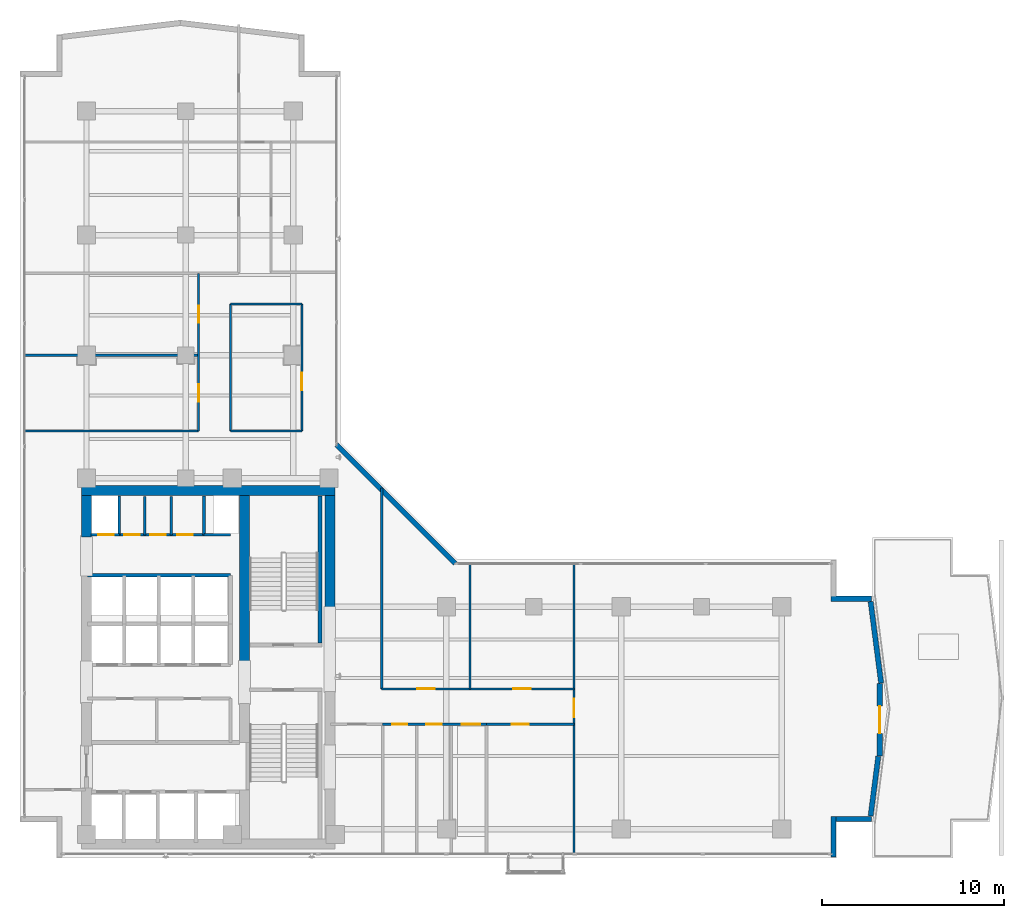
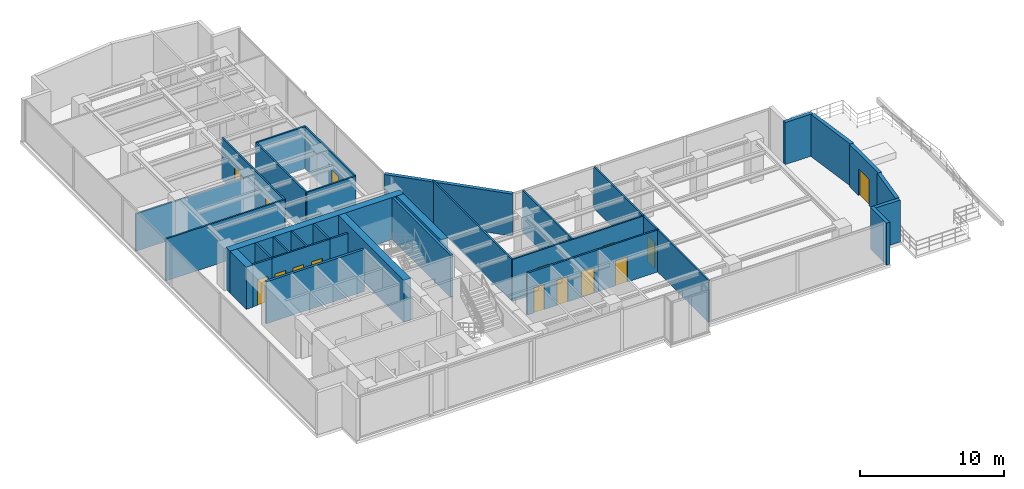
# One storey, part 18 of 25: 33 walls, 15 doors, 15 openings.
"""IFC4 building model written with IfcOpenShell, lengths in metres."""

from ifc_helpers import new_model, si_unit, direction, frame, frame_2d, origin, place, context, subcontext, project, spatial, rectangle, extrude, material, layer, layer_set, type_object, element, fill, save


model = new_model("IFC4")

# Units and contexts
model_context = context("Model", 3, precision=1e-05, world=origin(), true_north=direction((0.0, 1.0)))
body_context = subcontext(model_context, "Body", "Model", "MODEL_VIEW")
ifc_project = project(units=[si_unit("LENGTHUNIT", "METRE"), si_unit("AREAUNIT", "SQUARE_METRE"), si_unit("VOLUMEUNIT", "CUBIC_METRE"), si_unit("PLANEANGLEUNIT", "RADIAN"), si_unit("MASSUNIT", "GRAM", prefix="KILO")], contexts=[model_context])

# Site, building, storey
site_placement = place(None, origin())
site = spatial("IfcSite", under=ifc_project, at=site_placement, CompositionType="ELEMENT")
building_placement = place(site_placement, origin())
building = spatial("IfcBuilding", under=site, at=building_placement, Name="Kolvaren Waterfront Exchange", CompositionType="ELEMENT")
storey_placement = place(building_placement, frame((0.0, 0.0, 204.5)))
storey = spatial("IfcBuildingStorey", under=building, at=storey_placement, Name="L52", CompositionType="ELEMENT", Elevation=204.5)

# Wall, opening, door
ifc_material_1 = material(Name="Precast concrete C40/50", Category="concrete")
ifc_layer_1 = layer(ifc_material_1, 0.280029296875, Name="Precast concrete C40/50")
ifc_layer_set_1 = layer_set([ifc_layer_1], Name="Precast concrete C40/50")
wall_type_1 = type_object("IfcWallType", Name="ARC-EXT-TERR-280", PredefinedType="SOLIDWALL", material=ifc_layer_set_1)
wall_1_placement = place(storey_placement, frame((50.97998046875, 9.199951171875, 0.0), z_axis=(0.0, 0.0, 1.0), x_axis=(0.0, 1.0, 0.0)))
wall_1 = element("IfcWall", 1, at=wall_1_placement, inside=storey, type_object=wall_type_1, Name="L52 east sky-garden access wall 1", PredefinedType="SOLIDWALL", context=body_context, shape_type="SweptSolid", body=[
    extrude(rectangle(XDim=4.0, YDim=0.280029296875, at=frame_2d((2.0, 0.0))), origin(), (0.0, 0.0, 1.0), 3.56005859375),
])
opening_1_placement = place(wall_1_placement, frame((1.25, 0.0, 0.0)))
opening_1 = element("IfcOpeningElement", 2, at=opening_1_placement, cuts=wall_1, Name="Opening TD1", PredefinedType="OPENING", context=body_context, shape_type="SweptSolid", body=[
    extrude(rectangle(XDim=1.5, YDim=2.25, at=frame_2d((0.75, 1.125))), frame((0.0, 0.14990234375, 0.0), z_axis=(0.0, -1.0, 0.0), x_axis=(1.0, 0.0, 0.0)), (0.0, 0.0, 1.0), 0.300048828125),
])
ifc_material_2 = material(Name="Anodised bronze aluminium and glass", Category="aluminium")
door_type_1 = type_object("IfcDoorType", Name="ARC-TD-1500", OperationType="NOTDEFINED", PredefinedType="DOOR", material=ifc_material_2)
door_1_placement = place(opening_1_placement, frame((1.5, 0.0, 0.0), z_axis=(0.0, 0.0, 1.0), x_axis=(-1.0, 0.0, 0.0)))
door_1 = element("IfcDoor", 3, at=door_1_placement, inside=storey, type_object=door_type_1, Name="L52 planted sky-garden terrace door 1", OperationType="SINGLE_SWING_LEFT", OverallHeight=2.25, OverallWidth=1.5, PredefinedType="DOOR", context=body_context, shape_type="SweptSolid", body=[
    extrude(rectangle(XDim=1.5, YDim=2.25, at=frame_2d((0.75, 1.125))), frame((0.0, 0.02490234375, 0.0), z_axis=(0.0, -1.0, 0.0), x_axis=(1.0, 0.0, 0.0)), (0.0, 0.0, 1.0), 0.050048828125),
])
fill(opening_1, door_1)

# Walls
wall_2_placement = place(storey_placement, frame((48.43994140625, 3.659912109375, 0.0), z_axis=(0.0, 0.0, 1.0), x_axis=(0.0, 1.0, 0.0)))
element("IfcWall", 4, at=wall_2_placement, inside=storey, type_object=wall_type_1, Name="L52 notched corner spandrel pier SE-A", PredefinedType="SOLIDWALL", context=body_context, shape_type="SweptSolid", body=[
    extrude(rectangle(XDim=2.239990234375, YDim=0.280029296875, at=frame_2d((1.1201171875, 0.0))), origin(), (0.0, 0.0, 1.0), 3.56005859375),
])
wall_3_placement = place(storey_placement, frame((48.580078125, 5.760009765625, 0.0), z_axis=(0.0, 0.0, 1.0), x_axis=(1.0, 0.0, 0.0)))
element("IfcWall", 5, at=wall_3_placement, inside=storey, type_object=wall_type_1, Name="L52 notched corner spandrel pier SE-B", PredefinedType="SOLIDWALL", context=body_context, shape_type="SweptSolid", body=[
    extrude(rectangle(XDim=1.9599609375, YDim=0.280029296875, at=frame_2d((0.97998046875, 0.0))), origin(), (0.0, 0.0, 1.0), 3.56005859375),
])
wall_4_placement = place(storey_placement, frame((48.300048828125, 17.840087890625, 0.0), z_axis=(0.0, 0.0, 1.0), x_axis=(1.0, 0.0, 0.0)))
element("IfcWall", 6, at=wall_4_placement, inside=storey, type_object=wall_type_1, Name="L52 notched corner spandrel pier ENE-B", PredefinedType="SOLIDWALL", context=body_context, shape_type="SweptSolid", body=[
    extrude(rectangle(XDim=2.239990234375, YDim=0.280029296875, at=frame_2d((1.1201171875, 0.0))), origin(), (0.0, 0.0, 1.0), 3.56005859375),
])
wall_5_placement = place(storey_placement, frame((27.68505859375, 19.77490234375, 0.0), z_axis=(0.0, 0.0, 1.0), x_axis=(-0.707106781187, 0.707106781187, 0.0)))
element("IfcWall", 7, at=wall_5_placement, inside=storey, type_object=wall_type_1, Name="L52 notched corner spandrel pier ELBOW", PredefinedType="SOLIDWALL", context=body_context, shape_type="SweptSolid", body=[
    extrude(rectangle(XDim=9.20654296875, YDim=0.280029296875, at=frame_2d((4.603271484375, 0.0))), origin(), (0.0, 0.0, 1.0), 3.56005859375),
])
wall_6_placement = place(storey_placement, frame((50.479736328125, 5.91796875, 0.0), z_axis=(0.0, 0.0, 1.0), x_axis=(0.12795020487, 0.991780593213, 0.0)))
element("IfcWall", 8, at=wall_6_placement, inside=storey, type_object=wall_type_1, Name="L52 east prow lower facade wall", PredefinedType="SOLIDWALL", context=body_context, shape_type="SweptSolid", body=[
    extrude(rectangle(XDim=3.299072265625, YDim=0.280029296875, at=frame_2d((1.6494140625, 0.0))), origin(), (0.0, 0.0, 1.0), 3.56005859375),
])
wall_7_placement = place(storey_placement, frame((51.056640625, 13.2099609375, 0.0), z_axis=(0.0, 0.0, 1.0), x_axis=(-0.127945567261, 0.991781191503, 0.0)))
element("IfcWall", 9, at=wall_7_placement, inside=storey, type_object=wall_type_1, Name="L52 east prow upper facade wall", PredefinedType="SOLIDWALL", context=body_context, shape_type="SweptSolid", body=[
    extrude(rectangle(XDim=4.509033203125, YDim=0.280029296875, at=frame_2d((2.25439453125, 0.0))), origin(), (0.0, 0.0, 1.0), 3.56005859375),
])

# Wall, openings, doors
ifc_material_3 = material(Name="Acoustic gypsum steel stud", Category="steel")
ifc_layer_2 = layer(ifc_material_3, 0.125, Name="Acoustic gypsum steel stud")
ifc_layer_set_2 = layer_set([ifc_layer_2], Name="Acoustic gypsum steel stud")
wall_type_2 = type_object("IfcWallType", Name="ARC-PART-125", PredefinedType="PARTITIONING", material=ifc_layer_set_2)
wall_8_placement = place(storey_placement, frame((9.25, 21.35009765625, 0.0), z_axis=(0.0, 0.0, 1.0), x_axis=(1.0, 0.0, 0.0)))
wall_8 = element("IfcWall", 10, at=wall_8_placement, inside=storey, type_object=wall_type_2, Name="L52 interior wall PW-L52-SVC-EX-S", PredefinedType="PARTITIONING", context=body_context, shape_type="SweptSolid", body=[
    extrude(rectangle(XDim=4.64990234375, YDim=0.125, at=frame_2d((2.324951171875, 0.0))), origin(), (0.0, 0.0, 1.0), 3.56005859375),
])
opening_2_placement = place(wall_8_placement, frame((0.264892578125, 0.0, 0.0)))
opening_2 = element("IfcOpeningElement", 11, at=opening_2_placement, cuts=wall_8, Name="Opening D01", PredefinedType="OPENING", context=body_context, shape_type="SweptSolid", body=[
    extrude(rectangle(XDim=0.85009765625, YDim=2.14990234375, at=frame_2d((0.425048828125, 1.074951171875))), frame((0.0, 0.072509765625, 0.0), z_axis=(0.0, -1.0, 0.0), x_axis=(1.0, 0.0, 0.0)), (0.0, 0.0, 1.0), 0.14501953125),
])
opening_3_placement = place(wall_8_placement, frame((1.695068359375, 0.0, 0.0)))
opening_3 = element("IfcOpeningElement", 12, at=opening_3_placement, cuts=wall_8, Name="Opening D01", PredefinedType="OPENING", context=body_context, shape_type="SweptSolid", body=[
    extrude(rectangle(XDim=0.85009765625, YDim=2.14990234375, at=frame_2d((0.425048828125, 1.074951171875))), frame((0.0, 0.072509765625, 0.0), z_axis=(0.0, -1.0, 0.0), x_axis=(1.0, 0.0, 0.0)), (0.0, 0.0, 1.0), 0.14501953125),
])
opening_4_placement = place(wall_8_placement, frame((3.18994140625, 0.0, 0.0)))
opening_4 = element("IfcOpeningElement", 13, at=opening_4_placement, cuts=wall_8, Name="Opening D01", PredefinedType="OPENING", context=body_context, shape_type="SweptSolid", body=[
    extrude(rectangle(XDim=0.85009765625, YDim=2.14990234375, at=frame_2d((0.425048828125, 1.074951171875))), frame((0.0, 0.072509765625, 0.0), z_axis=(0.0, -1.0, 0.0), x_axis=(1.0, 0.0, 0.0)), (0.0, 0.0, 1.0), 0.14501953125),
])
ifc_material_4 = material(Name="Oak veneer timber leaf", Category="wood")
door_type_2 = type_object("IfcDoorType", Name="ARC-DR-900", OperationType="NOTDEFINED", PredefinedType="DOOR", material=ifc_material_4)
door_2_placement = place(opening_2_placement, origin())
door_2 = element("IfcDoor", 14, at=door_2_placement, inside=storey, type_object=door_type_2, Name="L52 door DR-L52-SVC-DR-1 (D01)", OperationType="SINGLE_SWING_RIGHT", OverallHeight=2.14990234375, OverallWidth=0.85009765625, PredefinedType="DOOR", context=body_context, shape_type="SweptSolid", body=[
    extrude(rectangle(XDim=0.85009765625, YDim=2.14990234375, at=frame_2d((0.425048828125, 1.074951171875))), frame((0.0, 0.02490234375, 0.0), z_axis=(0.0, -1.0, 0.0), x_axis=(1.0, 0.0, 0.0)), (0.0, 0.0, 1.0), 0.050048828125),
])
fill(opening_2, door_2)
door_3_placement = place(opening_3_placement, origin())
door_3 = element("IfcDoor", 15, at=door_3_placement, inside=storey, type_object=door_type_2, Name="L52 door DR-L52-SVC-DR-2 (D01)", OperationType="SINGLE_SWING_LEFT", OverallHeight=2.14990234375, OverallWidth=0.85009765625, PredefinedType="DOOR", context=body_context, shape_type="SweptSolid", body=[
    extrude(rectangle(XDim=0.85009765625, YDim=2.14990234375, at=frame_2d((0.425048828125, 1.074951171875))), frame((0.0, 0.02490234375, 0.0), z_axis=(0.0, -1.0, 0.0), x_axis=(1.0, 0.0, 0.0)), (0.0, 0.0, 1.0), 0.050048828125),
])
fill(opening_3, door_3)
door_4_placement = place(opening_4_placement, origin())
door_4 = element("IfcDoor", 16, at=door_4_placement, inside=storey, type_object=door_type_2, Name="L52 door DR-L52-SVC-DR-3 (D01)", OperationType="SINGLE_SWING_RIGHT", OverallHeight=2.14990234375, OverallWidth=0.85009765625, PredefinedType="DOOR", context=body_context, shape_type="SweptSolid", body=[
    extrude(rectangle(XDim=0.85009765625, YDim=2.14990234375, at=frame_2d((0.425048828125, 1.074951171875))), frame((0.0, 0.02490234375, 0.0), z_axis=(0.0, -1.0, 0.0), x_axis=(1.0, 0.0, 0.0)), (0.0, 0.0, 1.0), 0.050048828125),
])
fill(opening_4, door_4)

# Walls
for number, where, z_axis, x_axis, name in (
    (17, (10.64990234375, 21.35009765625, 0.0), (0.0, 0.0, 1.0), (0.0, 1.0, 0.0), "L52 interior wall PW-L52-SVC-EX-A"),
    (18, (12.10009765625, 21.35009765625, 0.0), (0.0, 0.0, 1.0), (0.0, 1.0, 0.0), "L52 interior wall PW-L52-SVC-EX-B"),
):
    element("IfcWall", number, at=place(storey_placement, frame(where, z_axis=z_axis, x_axis=x_axis)), inside=storey, type_object=wall_type_2, Name=name, PredefinedType="PARTITIONING", context=body_context, shape_type="SweptSolid", body=[
        extrude(rectangle(XDim=2.099853515625, YDim=0.125, at=frame_2d((1.0498046875, 0.0))), origin(), (0.0, 0.0, 1.0), 3.56005859375),
    ])
for number, where, z_axis, x_axis, name in (
    (19, (15.35009765625, 27.050048828125, 0.0), (0.0, 0.0, 1.0), (1.0, 0.0, 0.0), "L52 interior wall PW-L52-ISL-S"),
    (20, (15.35009765625, 34.02001953125, 0.0), (0.0, 0.0, 1.0), (1.0, 0.0, 0.0), "L52 interior wall PW-L52-ISL-N"),
):
    element("IfcWall", number, at=place(storey_placement, frame(where, z_axis=z_axis, x_axis=x_axis)), inside=storey, type_object=wall_type_2, Name=name, PredefinedType="PARTITIONING", context=body_context, shape_type="SweptSolid", body=[
        extrude(rectangle(XDim=3.919921875, YDim=0.125, at=frame_2d((1.9599609375, 0.0))), origin(), (0.0, 0.0, 1.0), 3.56005859375),
    ])
wall_9_placement = place(storey_placement, frame((15.35009765625, 27.050048828125, 0.0), z_axis=(0.0, 0.0, 1.0), x_axis=(0.0, 1.0, 0.0)))
element("IfcWall", 21, at=wall_9_placement, inside=storey, type_object=wall_type_2, Name="L52 interior wall PW-L52-ISL-W", PredefinedType="PARTITIONING", context=body_context, shape_type="SweptSolid", body=[
    extrude(rectangle(XDim=6.969970703125, YDim=0.125, at=frame_2d((3.48486328125, 0.0))), origin(), (0.0, 0.0, 1.0), 3.56005859375),
])

# Wall, opening, door
wall_10_placement = place(storey_placement, frame((19.27001953125, 27.050048828125, 0.0), z_axis=(0.0, 0.0, 1.0), x_axis=(0.0, 1.0, 0.0)))
wall_10 = element("IfcWall", 22, at=wall_10_placement, inside=storey, type_object=wall_type_2, Name="L52 interior wall PW-L52-ISL-E", PredefinedType="PARTITIONING", context=body_context, shape_type="SweptSolid", body=[
    extrude(rectangle(XDim=6.969970703125, YDim=0.125, at=frame_2d((3.48486328125, 0.0))), origin(), (0.0, 0.0, 1.0), 3.56005859375),
])
opening_5_placement = place(wall_10_placement, frame((2.23681640625, 0.0, 0.0)))
opening_5 = element("IfcOpeningElement", 23, at=opening_5_placement, cuts=wall_10, Name="Opening D02", PredefinedType="OPENING", context=body_context, shape_type="SweptSolid", body=[
    extrude(rectangle(XDim=0.949951171875, YDim=2.14990234375, at=frame_2d((0.47509765625, 1.074951171875))), frame((0.0, 0.072509765625, 0.0), z_axis=(0.0, -1.0, 0.0), x_axis=(1.0, 0.0, 0.0)), (0.0, 0.0, 1.0), 0.14501953125),
])
ifc_material_5 = material(Name="Oak veneer acoustic timber", Category="wood")
door_type_3 = type_object("IfcDoorType", Name="ARC-DR-950", OperationType="NOTDEFINED", PredefinedType="DOOR", material=ifc_material_5)
door_5_placement = place(opening_5_placement, origin())
door_5 = element("IfcDoor", 24, at=door_5_placement, inside=storey, type_object=door_type_3, Name="L52 door DR-L52-ISL-D (D02)", OperationType="SINGLE_SWING_LEFT", OverallHeight=2.14990234375, OverallWidth=0.949951171875, PredefinedType="DOOR", context=body_context, shape_type="SweptSolid", body=[
    extrude(rectangle(XDim=0.949951171875, YDim=2.14990234375, at=frame_2d((0.47509765625, 1.074951171875))), frame((0.0, 0.02490234375, 0.0), z_axis=(0.0, -1.0, 0.0), x_axis=(1.0, 0.0, 0.0)), (0.0, 0.0, 1.0), 0.050048828125),
])
fill(opening_5, door_5)

# Wall, openings, doors
wall_11_placement = place(storey_placement, frame((13.60009765625, 27.050048828125, 0.0), z_axis=(0.0, 0.0, 1.0), x_axis=(0.0, 1.0, 0.0)))
wall_11 = element("IfcWall", 25, at=wall_11_placement, inside=storey, type_object=wall_type_2, Name="L52 interior wall PW-L52-MWL-E", PredefinedType="PARTITIONING", context=body_context, shape_type="SweptSolid", body=[
    extrude(rectangle(XDim=8.64990234375, YDim=0.125, at=frame_2d((4.324951171875, 0.0))), origin(), (0.0, 0.0, 1.0), 3.56005859375),
])
opening_6_placement = place(wall_11_placement, frame((1.60009765625, 0.0, 0.0)))
opening_6 = element("IfcOpeningElement", 26, at=opening_6_placement, cuts=wall_11, Name="Opening D02", PredefinedType="OPENING", context=body_context, shape_type="SweptSolid", body=[
    extrude(rectangle(XDim=0.949951171875, YDim=2.14990234375, at=frame_2d((0.47509765625, 1.074951171875))), frame((0.0, 0.072509765625, 0.0), z_axis=(0.0, -1.0, 0.0), x_axis=(1.0, 0.0, 0.0)), (0.0, 0.0, 1.0), 0.14501953125),
])
opening_7_placement = place(wall_11_placement, frame((5.925048828125, 0.0, 0.0)))
opening_7 = element("IfcOpeningElement", 27, at=opening_7_placement, cuts=wall_11, Name="Opening D02", PredefinedType="OPENING", context=body_context, shape_type="SweptSolid", body=[
    extrude(rectangle(XDim=0.949951171875, YDim=2.14990234375, at=frame_2d((0.47509765625, 1.074951171875))), frame((0.0, 0.072509765625, 0.0), z_axis=(0.0, -1.0, 0.0), x_axis=(1.0, 0.0, 0.0)), (0.0, 0.0, 1.0), 0.14501953125),
])
door_6_placement = place(opening_6_placement, origin())
door_6 = element("IfcDoor", 28, at=door_6_placement, inside=storey, type_object=door_type_3, Name="L52 door DR-L52-MWL1A-D (D02)", OperationType="SINGLE_SWING_LEFT", OverallHeight=2.14990234375, OverallWidth=0.949951171875, PredefinedType="DOOR", context=body_context, shape_type="SweptSolid", body=[
    extrude(rectangle(XDim=0.949951171875, YDim=2.14990234375, at=frame_2d((0.47509765625, 1.074951171875))), frame((0.0, 0.02490234375, 0.0), z_axis=(0.0, -1.0, 0.0), x_axis=(1.0, 0.0, 0.0)), (0.0, 0.0, 1.0), 0.050048828125),
])
fill(opening_6, door_6)
door_7_placement = place(opening_7_placement, origin())
door_7 = element("IfcDoor", 29, at=door_7_placement, inside=storey, type_object=door_type_3, Name="L52 door DR-L52-MWL1B-D (D02)", OperationType="SINGLE_SWING_RIGHT", OverallHeight=2.14990234375, OverallWidth=0.949951171875, PredefinedType="DOOR", context=body_context, shape_type="SweptSolid", body=[
    extrude(rectangle(XDim=0.949951171875, YDim=2.14990234375, at=frame_2d((0.47509765625, 1.074951171875))), frame((0.0, 0.02490234375, 0.0), z_axis=(0.0, -1.0, 0.0), x_axis=(1.0, 0.0, 0.0)), (0.0, 0.0, 1.0), 0.050048828125),
])
fill(opening_7, door_7)

# Walls
wall_12_placement = place(storey_placement, frame((4.0400390625, 27.050048828125, 0.0), z_axis=(0.0, 0.0, 1.0), x_axis=(1.0, 0.0, 0.0)))
element("IfcWall", 30, at=wall_12_placement, inside=storey, type_object=wall_type_2, Name="L52 interior wall PW-L52-MWL-S", PredefinedType="PARTITIONING", context=body_context, shape_type="SweptSolid", body=[
    extrude(rectangle(XDim=9.56005859375, YDim=0.125, at=frame_2d((4.780029296875, 0.0))), origin(), (0.0, 0.0, 1.0), 3.56005859375),
])
wall_13_placement = place(storey_placement, frame((4.0400390625, 31.199951171875, 0.0), z_axis=(0.0, 0.0, 1.0), x_axis=(1.0, 0.0, 0.0)))
element("IfcWall", 31, at=wall_13_placement, inside=storey, type_object=wall_type_2, Name="L52 interior wall PW-L52-MWL-M", PredefinedType="PARTITIONING", context=body_context, shape_type="SweptSolid", body=[
    extrude(rectangle(XDim=9.56005859375, YDim=0.125, at=frame_2d((4.780029296875, 0.0))), origin(), (0.0, 0.0, 1.0), 3.159912109375),
])

# Wall, opening, door
wall_14_placement = place(storey_placement, frame((29.39990234375, 10.949951171875, 0.0), z_axis=(0.0, 0.0, 1.0), x_axis=(1.0, 0.0, 0.0)))
wall_14 = element("IfcWall", 32, at=wall_14_placement, inside=storey, type_object=wall_type_2, Name="L52 interior wall PW-L52-ES-CORR", PredefinedType="PARTITIONING", context=body_context, shape_type="SweptSolid", body=[
    extrude(rectangle(XDim=4.800048828125, YDim=0.125, at=frame_2d((2.39990234375, 0.0))), origin(), (0.0, 0.0, 1.0), 3.56005859375),
])
opening_8_placement = place(wall_14_placement, frame((1.3798828125, 0.0, 0.0)))
opening_8 = element("IfcOpeningElement", 33, at=opening_8_placement, cuts=wall_14, Name="Opening D02", PredefinedType="OPENING", context=body_context, shape_type="SweptSolid", body=[
    extrude(rectangle(XDim=0.949951171875, YDim=2.14990234375, at=frame_2d((0.47509765625, 1.074951171875))), frame((0.0, 0.072509765625, 0.0), z_axis=(0.0, -1.0, 0.0), x_axis=(1.0, 0.0, 0.0)), (0.0, 0.0, 1.0), 0.14501953125),
])
door_8_placement = place(opening_8_placement, origin())
door_8 = element("IfcDoor", 34, at=door_8_placement, inside=storey, type_object=door_type_3, Name="L52 door DR-L52-ES-D-1 (D02)", OperationType="SINGLE_SWING_LEFT", OverallHeight=2.14990234375, OverallWidth=0.949951171875, PredefinedType="DOOR", context=body_context, shape_type="SweptSolid", body=[
    extrude(rectangle(XDim=0.949951171875, YDim=2.14990234375, at=frame_2d((0.47509765625, 1.074951171875))), frame((0.0, 0.02490234375, 0.0), z_axis=(0.0, -1.0, 0.0), x_axis=(1.0, 0.0, 0.0)), (0.0, 0.0, 1.0), 0.050048828125),
])
fill(opening_8, door_8)

wall_15_placement = place(storey_placement, frame((34.199951171875, 3.840087890625, 0.0), z_axis=(0.0, 0.0, 1.0), x_axis=(0.0, 1.0, 0.0)))
wall_15 = element("IfcWall", 35, at=wall_15_placement, inside=storey, type_object=wall_type_2, Name="L52 interior wall PW-L52-ETIP-W", PredefinedType="PARTITIONING", context=body_context, shape_type="SweptSolid", body=[
    extrude(rectangle(XDim=15.919921875, YDim=0.125, at=frame_2d((7.9599609375, 0.0))), origin(), (0.0, 0.0, 1.0), 3.56005859375),
])
opening_9_placement = place(wall_15_placement, frame((7.510009765625, 0.0, 0.0)))
opening_9 = element("IfcOpeningElement", 36, at=opening_9_placement, cuts=wall_15, Name="Opening D03", PredefinedType="OPENING", context=body_context, shape_type="SweptSolid", body=[
    extrude(rectangle(XDim=1.0, YDim=2.199951171875, at=frame_2d((0.5, 1.10009765625))), frame((0.0, 0.072509765625, 0.0), z_axis=(0.0, -1.0, 0.0), x_axis=(1.0, 0.0, 0.0)), (0.0, 0.0, 1.0), 0.14501953125),
])
ifc_material_6 = material(Name="Oak veneer accessible timber", Category="wood")
door_type_4 = type_object("IfcDoorType", Name="ARC-DR-1000", OperationType="NOTDEFINED", PredefinedType="DOOR", material=ifc_material_6)
door_9_placement = place(opening_9_placement, origin())
door_9 = element("IfcDoor", 37, at=door_9_placement, inside=storey, type_object=door_type_4, Name="L52 door DR-L52-ETIP-D (D03)", OperationType="SINGLE_SWING_RIGHT", OverallHeight=2.199951171875, OverallWidth=1.0, PredefinedType="DOOR", context=body_context, shape_type="SweptSolid", body=[
    extrude(rectangle(XDim=1.0, YDim=2.199951171875, at=frame_2d((0.5, 1.10009765625))), frame((0.0, 0.02490234375, 0.0), z_axis=(0.0, -1.0, 0.0), x_axis=(1.0, 0.0, 0.0)), (0.0, 0.0, 1.0), 0.050048828125),
])
fill(opening_9, door_9)

# Wall
wall_16_placement = place(storey_placement, frame((23.64990234375, 12.889892578125, 0.0), z_axis=(0.0, 0.0, 1.0), x_axis=(0.0, 1.0, 0.0)))
element("IfcWall", 38, at=wall_16_placement, inside=storey, type_object=wall_type_2, Name="L52 interior wall PW-L52-EN-W0", PredefinedType="PARTITIONING", context=body_context, shape_type="SweptSolid", body=[
    extrude(rectangle(XDim=11.02001953125, YDim=0.125, at=frame_2d((5.510009765625, 0.0))), origin(), (0.0, 0.0, 1.0), 3.56005859375),
])

# Wall, openings, doors
wall_17_placement = place(storey_placement, frame((23.64990234375, 12.889892578125, 0.0), z_axis=(0.0, 0.0, 1.0), x_axis=(1.0, 0.0, 0.0)))
wall_17 = element("IfcWall", 39, at=wall_17_placement, inside=storey, type_object=wall_type_2, Name="L52 interior wall PW-L52-EN-CORR", PredefinedType="PARTITIONING", context=body_context, shape_type="SweptSolid", body=[
    extrude(rectangle(XDim=10.550048828125, YDim=0.125, at=frame_2d((5.27490234375, 0.0))), origin(), (0.0, 0.0, 1.0), 3.56005859375),
])
opening_10_placement = place(wall_17_placement, frame((1.949951171875, 0.0, 0.0)))
opening_10 = element("IfcOpeningElement", 40, at=opening_10_placement, cuts=wall_17, Name="Opening D02", PredefinedType="OPENING", context=body_context, shape_type="SweptSolid", body=[
    extrude(rectangle(XDim=0.949951171875, YDim=2.14990234375, at=frame_2d((0.47509765625, 1.074951171875))), frame((0.0, 0.072509765625, 0.0), z_axis=(0.0, -1.0, 0.0), x_axis=(1.0, 0.0, 0.0)), (0.0, 0.0, 1.0), 0.14501953125),
])
opening_11_placement = place(wall_17_placement, frame((7.22509765625, 0.0, 0.0)))
opening_11 = element("IfcOpeningElement", 41, at=opening_11_placement, cuts=wall_17, Name="Opening D02", PredefinedType="OPENING", context=body_context, shape_type="SweptSolid", body=[
    extrude(rectangle(XDim=0.949951171875, YDim=2.14990234375, at=frame_2d((0.47509765625, 1.074951171875))), frame((0.0, 0.072509765625, 0.0), z_axis=(0.0, -1.0, 0.0), x_axis=(1.0, 0.0, 0.0)), (0.0, 0.0, 1.0), 0.14501953125),
])
door_10_placement = place(opening_10_placement, origin())
door_10 = element("IfcDoor", 42, at=door_10_placement, inside=storey, type_object=door_type_3, Name="L52 door DR-L52-EN-D-1 (D02)", OperationType="SINGLE_SWING_LEFT", OverallHeight=2.14990234375, OverallWidth=0.949951171875, PredefinedType="DOOR", context=body_context, shape_type="SweptSolid", body=[
    extrude(rectangle(XDim=0.949951171875, YDim=2.14990234375, at=frame_2d((0.47509765625, 1.074951171875))), frame((0.0, 0.02490234375, 0.0), z_axis=(0.0, -1.0, 0.0), x_axis=(1.0, 0.0, 0.0)), (0.0, 0.0, 1.0), 0.050048828125),
])
fill(opening_10, door_10)
door_11_placement = place(opening_11_placement, origin())
door_11 = element("IfcDoor", 43, at=door_11_placement, inside=storey, type_object=door_type_3, Name="L52 door DR-L52-EN-D-2 (D02)", OperationType="SINGLE_SWING_RIGHT", OverallHeight=2.14990234375, OverallWidth=0.949951171875, PredefinedType="DOOR", context=body_context, shape_type="SweptSolid", body=[
    extrude(rectangle(XDim=0.949951171875, YDim=2.14990234375, at=frame_2d((0.47509765625, 1.074951171875))), frame((0.0, 0.02490234375, 0.0), z_axis=(0.0, -1.0, 0.0), x_axis=(1.0, 0.0, 0.0)), (0.0, 0.0, 1.0), 0.050048828125),
])
fill(opening_11, door_11)

# Walls
wall_18_placement = place(storey_placement, frame((28.5, 12.889892578125, 0.0), z_axis=(0.0, 0.0, 1.0), x_axis=(0.0, 1.0, 0.0)))
element("IfcWall", 44, at=wall_18_placement, inside=storey, type_object=wall_type_2, Name="L52 interior wall PW-L52-EN-DIV-1", PredefinedType="PARTITIONING", context=body_context, shape_type="SweptSolid", body=[
    extrude(rectangle(XDim=6.8701171875, YDim=0.125, at=frame_2d((3.43505859375, 0.0))), origin(), (0.0, 0.0, 1.0), 3.56005859375),
])
ifc_material_7 = material(Name="Gypsum fireboard steel stud", Category="steel")
ifc_layer_3 = layer(ifc_material_7, 0.14990234375, Name="Gypsum fireboard steel stud")
ifc_layer_set_3 = layer_set([ifc_layer_3], Name="Gypsum fireboard steel stud")
wall_type_3 = type_object("IfcWallType", Name="ARC-PART-150", PredefinedType="PARTITIONING", material=ifc_layer_set_3)
for number, where, z_axis, x_axis, name in (
    (45, (9.25, 21.35009765625, 0.0), (0.0, 0.0, 1.0), (0.0, 1.0, 0.0), "L52 interior wall PW-L52-SVC-R1"),
    (46, (13.89990234375, 21.35009765625, 0.0), (0.0, 0.0, 1.0), (0.0, 1.0, 0.0), "L52 interior wall PW-L52-SVC-R2"),
):
    element("IfcWall", number, at=place(storey_placement, frame(where, z_axis=z_axis, x_axis=x_axis)), inside=storey, type_object=wall_type_3, Name=name, PredefinedType="PARTITIONING", context=body_context, shape_type="SweptSolid", body=[
        extrude(rectangle(XDim=2.1298828125, YDim=0.14990234375, at=frame_2d((1.06494140625, 0.0))), origin(), (0.0, 0.0, 1.0), 3.56005859375),
    ])

# Wall, opening, door
wall_19_placement = place(storey_placement, frame((7.699951171875, 21.35009765625, 0.0), z_axis=(0.0, 0.0, 1.0), x_axis=(1.0, 0.0, 0.0)))
wall_19 = element("IfcWall", 47, at=wall_19_placement, inside=storey, type_object=wall_type_3, Name="L52 interior wall PW-L52-SVC-RE-S", PredefinedType="PARTITIONING", context=body_context, shape_type="SweptSolid", body=[
    extrude(rectangle(XDim=1.550048828125, YDim=0.14990234375, at=frame_2d((0.77490234375, 0.0))), origin(), (0.0, 0.0, 1.0), 3.56005859375),
])
opening_12_placement = place(wall_19_placement, frame((0.389892578125, 0.0, 0.0)))
opening_12 = element("IfcOpeningElement", 48, at=opening_12_placement, cuts=wall_19, Name="Opening FD1", PredefinedType="OPENING", context=body_context, shape_type="SweptSolid", body=[
    extrude(rectangle(XDim=0.85009765625, YDim=2.14990234375, at=frame_2d((0.425048828125, 1.074951171875))), frame((0.0, 0.0849609375, 0.0), z_axis=(0.0, -1.0, 0.0), x_axis=(1.0, 0.0, 0.0)), (0.0, 0.0, 1.0), 0.169921875),
])
ifc_material_8 = material(Name="Pressed steel fire leaf", Category="steel")
door_type_5 = type_object("IfcDoorType", Name="ARC-FD-900", OperationType="NOTDEFINED", PredefinedType="DOOR", material=ifc_material_8)
door_12_placement = place(opening_12_placement, origin())
door_12 = element("IfcDoor", 49, at=door_12_placement, inside=storey, type_object=door_type_5, Name="L52 door DR-L52-RISER-E-DR (FD1)", OperationType="SINGLE_SWING_LEFT", OverallHeight=2.14990234375, OverallWidth=0.85009765625, PredefinedType="DOOR", context=body_context, shape_type="SweptSolid", body=[
    extrude(rectangle(XDim=0.85009765625, YDim=2.14990234375, at=frame_2d((0.425048828125, 1.074951171875))), frame((0.0, 0.02490234375, 0.0), z_axis=(0.0, -1.0, 0.0), x_axis=(1.0, 0.0, 0.0)), (0.0, 0.0, 1.0), 0.050048828125),
])
fill(opening_12, door_12)

# Wall
wall_20_placement = place(storey_placement, frame((13.89990234375, 21.35009765625, 0.0), z_axis=(0.0, 0.0, 1.0), x_axis=(1.0, 0.0, 0.0)))
element("IfcWall", 50, at=wall_20_placement, inside=storey, type_object=wall_type_3, Name="L52 interior wall PW-L52-SVC-RP-S", PredefinedType="PARTITIONING", context=body_context, shape_type="SweptSolid", body=[
    extrude(rectangle(XDim=1.4501953125, YDim=0.14990234375, at=frame_2d((0.72509765625, 0.0))), origin(), (0.0, 0.0, 1.0), 3.56005859375),
])

# Wall, openings, doors
ifc_material_9 = material(Name="Moisture-resistant gypsum stud")
ifc_layer_4 = layer(ifc_material_9, 0.14990234375, Name="Moisture-resistant gypsum stud")
ifc_layer_set_4 = layer_set([ifc_layer_4], Name="Moisture-resistant gypsum stud")
wall_type_4 = type_object("IfcWallType", Name="ARC-PLUMB-150", PredefinedType="PLUMBINGWALL", material=ifc_layer_set_4)
wall_21_placement = place(storey_placement, frame((23.699951171875, 10.949951171875, 0.0), z_axis=(0.0, 0.0, 1.0), x_axis=(1.0, 0.0, 0.0)))
wall_21 = element("IfcWall", 51, at=wall_21_placement, inside=storey, type_object=wall_type_4, Name="L52 interior wall PW-L52-WC-N", PredefinedType="PLUMBINGWALL", context=body_context, shape_type="SweptSolid", body=[
    extrude(rectangle(XDim=5.699951171875, YDim=0.14990234375, at=frame_2d((2.85009765625, 0.0))), origin(), (0.0, 0.0, 1.0), 3.56005859375),
])
opening_13_placement = place(wall_21_placement, frame((0.514892578125, 0.0, 0.0)))
opening_13 = element("IfcOpeningElement", 52, at=opening_13_placement, cuts=wall_21, Name="Opening D01", PredefinedType="OPENING", context=body_context, shape_type="SweptSolid", body=[
    extrude(rectangle(XDim=0.85009765625, YDim=2.14990234375, at=frame_2d((0.425048828125, 1.074951171875))), frame((0.0, 0.0849609375, 0.0), z_axis=(0.0, -1.0, 0.0), x_axis=(1.0, 0.0, 0.0)), (0.0, 0.0, 1.0), 0.169921875),
])
opening_14_placement = place(wall_21_placement, frame((2.39501953125, 0.0, 0.0)))
opening_14 = element("IfcOpeningElement", 53, at=opening_14_placement, cuts=wall_21, Name="Opening D01", PredefinedType="OPENING", context=body_context, shape_type="SweptSolid", body=[
    extrude(rectangle(XDim=0.85009765625, YDim=2.14990234375, at=frame_2d((0.425048828125, 1.074951171875))), frame((0.0, 0.0849609375, 0.0), z_axis=(0.0, -1.0, 0.0), x_axis=(1.0, 0.0, 0.0)), (0.0, 0.0, 1.0), 0.169921875),
])
opening_15_placement = place(wall_21_placement, frame((4.35009765625, 0.0, 0.0)))
opening_15 = element("IfcOpeningElement", 54, at=opening_15_placement, cuts=wall_21, Name="Opening D03", PredefinedType="OPENING", context=body_context, shape_type="SweptSolid", body=[
    extrude(rectangle(XDim=1.0, YDim=2.199951171875, at=frame_2d((0.5, 1.10009765625))), frame((0.0, 0.0849609375, 0.0), z_axis=(0.0, -1.0, 0.0), x_axis=(1.0, 0.0, 0.0)), (0.0, 0.0, 1.0), 0.169921875),
])
door_13_placement = place(opening_15_placement, origin())
door_13 = element("IfcDoor", 55, at=door_13_placement, inside=storey, type_object=door_type_4, Name="L52 door DR-L52-WCA-D (D03)", OperationType="SINGLE_SWING_RIGHT", OverallHeight=2.199951171875, OverallWidth=1.0, PredefinedType="DOOR", context=body_context, shape_type="SweptSolid", body=[
    extrude(rectangle(XDim=1.0, YDim=2.199951171875, at=frame_2d((0.5, 1.10009765625))), frame((0.0, 0.02490234375, 0.0), z_axis=(0.0, -1.0, 0.0), x_axis=(1.0, 0.0, 0.0)), (0.0, 0.0, 1.0), 0.050048828125),
])
fill(opening_15, door_13)
door_14_placement = place(opening_13_placement, origin())
door_14 = element("IfcDoor", 56, at=door_14_placement, inside=storey, type_object=door_type_2, Name="L52 door DR-L52-WCM-D (D01)", OperationType="SINGLE_SWING_RIGHT", OverallHeight=2.14990234375, OverallWidth=0.85009765625, PredefinedType="DOOR", context=body_context, shape_type="SweptSolid", body=[
    extrude(rectangle(XDim=0.85009765625, YDim=2.14990234375, at=frame_2d((0.425048828125, 1.074951171875))), frame((0.0, 0.02490234375, 0.0), z_axis=(0.0, -1.0, 0.0), x_axis=(1.0, 0.0, 0.0)), (0.0, 0.0, 1.0), 0.050048828125),
])
fill(opening_13, door_14)
door_15_placement = place(opening_14_placement, origin())
door_15 = element("IfcDoor", 57, at=door_15_placement, inside=storey, type_object=door_type_2, Name="L52 door DR-L52-WCF-D (D01)", OperationType="SINGLE_SWING_LEFT", OverallHeight=2.14990234375, OverallWidth=0.85009765625, PredefinedType="DOOR", context=body_context, shape_type="SweptSolid", body=[
    extrude(rectangle(XDim=0.85009765625, YDim=2.14990234375, at=frame_2d((0.425048828125, 1.074951171875))), frame((0.0, 0.02490234375, 0.0), z_axis=(0.0, -1.0, 0.0), x_axis=(1.0, 0.0, 0.0)), (0.0, 0.0, 1.0), 0.050048828125),
])
fill(opening_14, door_15)

# Walls
ifc_material_10 = material(Name="Concrete C40/50", Category="concrete")
ifc_layer_5 = layer(ifc_material_10, 0.199951171875, Name="Concrete C40/50")
ifc_layer_set_5 = layer_set([ifc_layer_5], Name="Concrete C40/50")
wall_type_5 = type_object("IfcWallType", Name="ARC-SHAFT-200", PredefinedType="PARTITIONING", material=ifc_layer_set_5)
wall_22_placement = place(storey_placement, frame((20.260009765625, 15.39990234375, 0.0), z_axis=(0.0, 0.0, 1.0), x_axis=(0.0, 1.0, 0.0)))
element("IfcWall", 58, at=wall_22_placement, inside=storey, type_object=wall_type_5, Name="L52 structural stairwell wall PW-L52-ST2-E", PredefinedType="SHEAR", context=body_context, shape_type="SweptSolid", body=[
    extrude(rectangle(XDim=8.090087890625, YDim=0.199951171875, at=frame_2d((4.044921875, 0.0))), origin(), (0.0, 0.0, 1.0), 3.56005859375),
])
wall_23_placement = place(storey_placement, frame((7.5, 19.1201171875, 0.0), z_axis=(0.0, 0.0, 1.0), x_axis=(1.0, 0.0, 0.0)))
element("IfcWall", 59, at=wall_23_placement, inside=storey, type_object=wall_type_5, Name="L52 interior wall PW-L52-PH-N", PredefinedType="PARTITIONING", context=body_context, shape_type="SweptSolid", body=[
    extrude(rectangle(XDim=7.85009765625, YDim=0.199951171875, at=frame_2d((3.925048828125, 0.0))), origin(), (0.0, 0.0, 1.0), 3.56005859375),
])
ifc_material_11 = material(Name="Concrete C50/60", Category="concrete")
ifc_layer_6 = layer(ifc_material_11, 0.550048828125, Name="Concrete C50/60")
ifc_layer_set_6 = layer_set([ifc_layer_6], Name="Concrete C50/60")
wall_type_6 = type_object("IfcWallType", Name="STR-CWALL-550", PredefinedType="SHEAR", material=ifc_layer_set_6)
wall_24_placement = place(storey_placement, frame((7.175048828125, 23.77490234375, 0.0), z_axis=(0.0, 0.0, 1.0), x_axis=(1.0, 0.0, 0.0)))
element("IfcWall", 60, at=wall_24_placement, inside=storey, type_object=wall_type_6, Name="L52 rear-core shear wall N", PredefinedType="SHEAR", context=body_context, shape_type="SweptSolid", body=[
    extrude(rectangle(XDim=13.89990234375, YDim=0.550048828125, at=frame_2d((6.949951171875, 0.0))), origin(), (0.0, 0.0, 1.0), 3.56005859375),
])
wall_25_placement = place(storey_placement, frame((7.449951171875, 21.239990234375, 0.0), z_axis=(0.0, 0.0, 1.0), x_axis=(0.0, 1.0, 0.0)))
element("IfcWall", 61, at=wall_25_placement, inside=storey, type_object=wall_type_6, Name="L52 rear-core shear wall W3", PredefinedType="SHEAR", context=body_context, shape_type="SweptSolid", body=[
    extrude(rectangle(XDim=2.260009765625, YDim=0.550048828125, at=frame_2d((1.1298828125, 0.0))), origin(), (0.0, 0.0, 1.0), 3.56005859375),
])
wall_26_placement = place(storey_placement, frame((20.800048828125, 17.35009765625, 0.0), z_axis=(0.0, 0.0, 1.0), x_axis=(0.0, 1.0, 0.0)))
element("IfcWall", 62, at=wall_26_placement, inside=storey, type_object=wall_type_6, Name="L52 rear-core shear wall E3", PredefinedType="SHEAR", context=body_context, shape_type="SweptSolid", body=[
    extrude(rectangle(XDim=6.14990234375, YDim=0.550048828125, at=frame_2d((3.074951171875, 0.0))), origin(), (0.0, 0.0, 1.0), 3.56005859375),
])
wall_27_placement = place(storey_placement, frame((16.125, 14.39990234375, 0.0), z_axis=(0.0, 0.0, 1.0), x_axis=(0.0, 1.0, 0.0)))
element("IfcWall", 63, at=wall_27_placement, inside=storey, type_object=wall_type_6, Name="L52 rear-core shear wall M3", PredefinedType="SHEAR", context=body_context, shape_type="SweptSolid", body=[
    extrude(rectangle(XDim=9.10009765625, YDim=0.550048828125, at=frame_2d((4.550048828125, 0.0))), origin(), (0.0, 0.0, 1.0), 3.56005859375),
])

save(model, "model.ifc")
